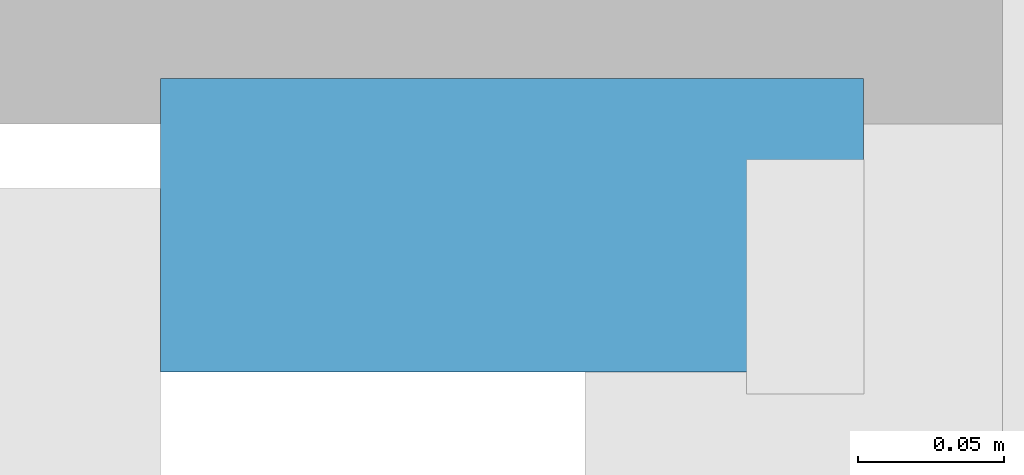
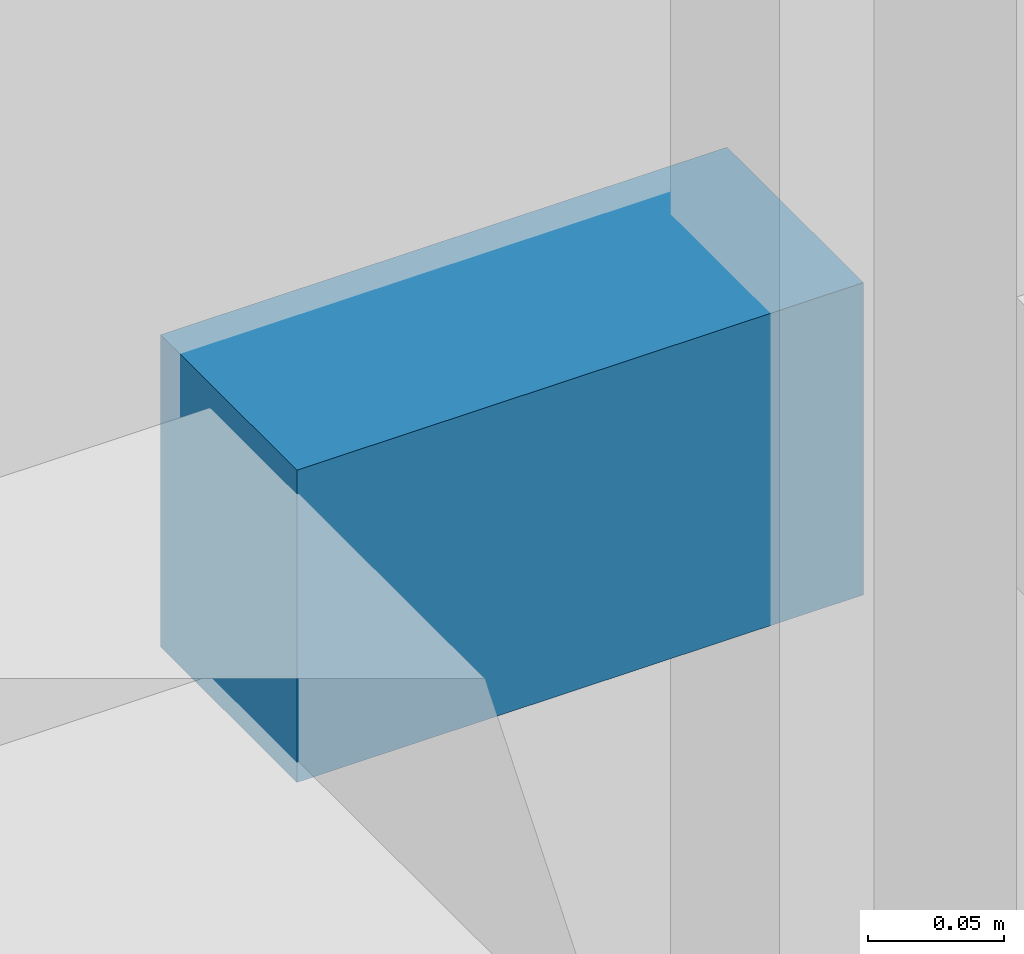
# One storey, part 21 of 35: 1 discrete accessory.
"""IFC4 building model written with IfcOpenShell, lengths in metres."""

from ifc_helpers import new_model, si_unit, direction, frame, origin, origin_2d, place, context, subcontext, project, spatial, rectangle, extrude, material, type_object, element, save


model = new_model("IFC4")

# Units and contexts
model_context = context("Model", 3, precision=1e-05, world=origin(), true_north=direction((0.0, 1.0)))
body_context = subcontext(model_context, "Body", "Model", "MODEL_VIEW")
ifc_project = project(units=[si_unit("LENGTHUNIT", "METRE"), si_unit("AREAUNIT", "SQUARE_METRE"), si_unit("VOLUMEUNIT", "CUBIC_METRE"), si_unit("PLANEANGLEUNIT", "RADIAN"), si_unit("MASSUNIT", "GRAM", prefix="KILO")], contexts=[model_context])

# Site, building, storey
site_placement = place(None, origin())
site = spatial("IfcSite", under=ifc_project, at=site_placement, CompositionType="ELEMENT")
building_placement = place(site_placement, origin())
building = spatial("IfcBuilding", under=site, at=building_placement, Name="Telukmera Botanical Conservatory", CompositionType="ELEMENT")
storey_placement = place(building_placement, frame((0.0, 0.0, 28.5)))
storey = spatial("IfcBuildingStorey", under=building, at=storey_placement, Name="L06", CompositionType="ELEMENT", Elevation=28.5)

# Discrete accessory
ifc_material = material(Name="Steel S355", Category="steel")
discrete_accessory_type = type_object("IfcDiscreteAccessoryType", Name="Structural Steel Facade Outrigger Fin Bracket", PredefinedType="BRACKET", material=ifc_material)
discrete_accessory_placement = place(storey_placement, frame((50.199951171875, 42.365478515625, 0.8798828125), z_axis=(0.0, 0.0, 1.0), x_axis=(0.0, 1.0, 0.0)))
element("IfcDiscreteAccessory", 1, at=discrete_accessory_placement, inside=storey, type_object=discrete_accessory_type, Name="Facade Outrigger Bracket V4:L06:W4 B", PredefinedType="BRACKET", context=body_context, shape_type="SweptSolid", body=[
    extrude(rectangle(XDim=0.10009765625, YDim=0.239990234375, at=origin_2d()), origin(), (0.0, 0.0, 1.0), 0.139892578125),
])

save(model, "model.ifc")
